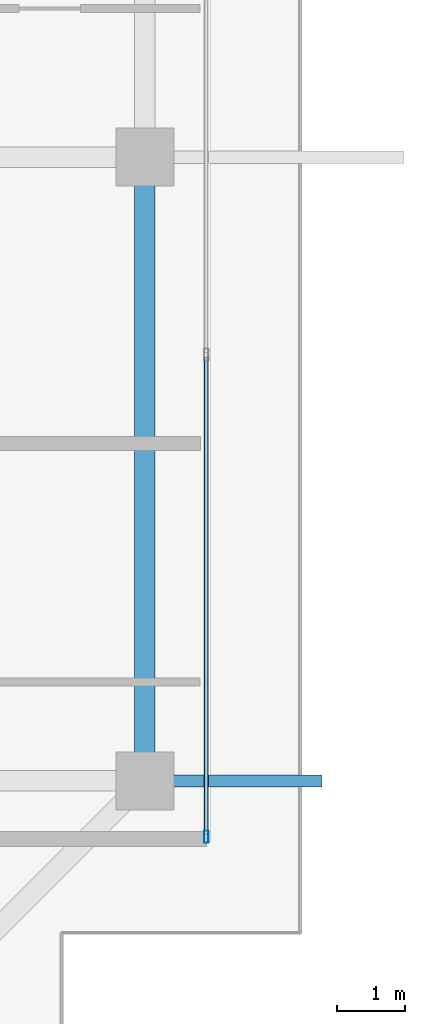
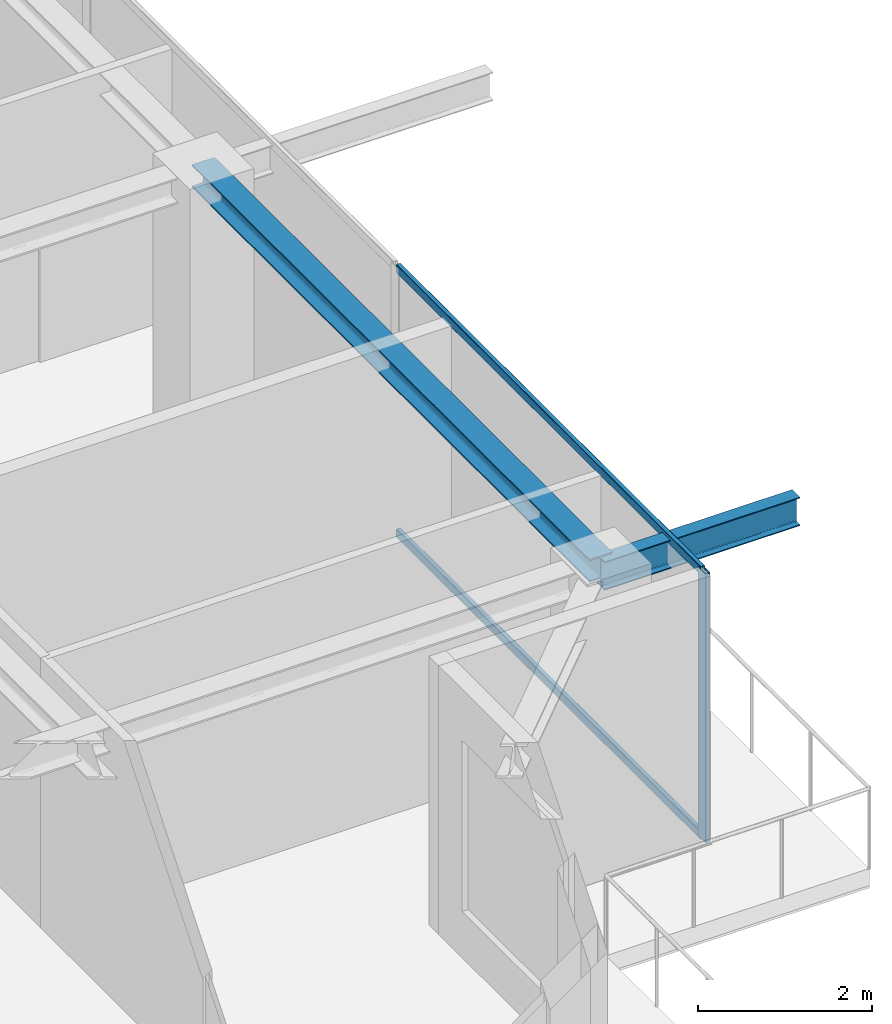
# One storey, part 12 of 36: 3 members, 2 beams, 1 element without a shape of its own.
"""IFC4 building model written with IfcOpenShell, lengths in metres."""

from ifc_helpers import new_model, si_unit, direction, frame, origin, origin_2d, place, context, subcontext, project, spatial, hollow_rectangle, i_section, extrude, source, transform, mapped, material, layer, layer_set, material_profile, profile_set, type_object, element, aggregate, save


model = new_model("IFC4")

# Units and contexts
model_context = context("Model", 3, precision=1e-05, world=origin(), true_north=direction((0.0, 1.0)))
body_context = subcontext(model_context, "Body", "Model", "MODEL_VIEW")
ifc_project = project(units=[si_unit("LENGTHUNIT", "METRE"), si_unit("AREAUNIT", "SQUARE_METRE"), si_unit("VOLUMEUNIT", "CUBIC_METRE"), si_unit("PLANEANGLEUNIT", "RADIAN"), si_unit("MASSUNIT", "GRAM", prefix="KILO")], contexts=[model_context])

# Site, building, storey
site_placement = place(None, origin())
site = spatial("IfcSite", under=ifc_project, at=site_placement, CompositionType="ELEMENT")
building_placement = place(site_placement, origin())
building = spatial("IfcBuilding", under=site, at=building_placement, Name="Serunith Strait Residences", CompositionType="ELEMENT")
storey_placement = place(building_placement, frame((0.0, 0.0, 338.0)))
storey = spatial("IfcBuildingStorey", under=building, at=storey_placement, Name="L84", CompositionType="ELEMENT", Elevation=338.0)

# Beams
ifc_material_1 = material(Name="Steel S355J2", Category="steel")
ifc_material_profile_1 = material_profile(ifc_material_1, i_section(OverallWidth=0.300048828125, OverallDepth=0.320068359375, WebThickness=0.011474609375, FlangeThickness=0.0205078125, FilletRadius=0.027099609375, at=origin_2d()), Name="HEB 320")
ifc_profile_set_1 = profile_set([ifc_material_profile_1], Name="Steel S355J2")
beam_type_1 = type_object("IfcBeamType", Name="BM-HEB320", PredefinedType="BEAM", material=ifc_profile_set_1)
shared_shape_1 = source(origin(), body_context, "Body", "SweptSolid", [
    extrude(i_section(OverallWidth=0.300048828125, OverallDepth=0.320068359375, WebThickness=0.011474609375, FlangeThickness=0.0205078125, FilletRadius=0.027099609375, at=origin_2d()), origin(), (0.0, 0.0, 1.0), 9.14990234375),
])
beam_1_placement = place(storey_placement, frame((53.10009765625, 11.85009765625, 3.626953125), z_axis=(0.0, 1.0, 0.0), x_axis=(-1.0, 0.0, 0.0)))
element("IfcBeam", 1, at=beam_1_placement, inside=storey, type_object=beam_type_1, Name="L84 Perimeter Ring Beam 05", PredefinedType="BEAM", context=body_context, shape_type="MappedRepresentation", body=[
    mapped(shared_shape_1, transform((0.0, 0.0, 0.0), scale=1.0)),
])
ifc_material_profile_2 = material_profile(ifc_material_1, i_section(OverallWidth=0.179931640625, OverallDepth=0.39990234375, WebThickness=0.008544921875, FlangeThickness=0.013427734375, FilletRadius=0.02099609375, at=origin_2d()), Name="IPE 400")
ifc_profile_set_2 = profile_set([ifc_material_profile_2], Name="Steel S355J2")
beam_type_2 = type_object("IfcBeamType", Name="BM-IPE400", PredefinedType="JOIST", material=ifc_profile_set_2)
shared_shape_2 = source(origin(), body_context, "Body", "SweptSolid", [
    extrude(i_section(OverallWidth=0.179931640625, OverallDepth=0.39990234375, WebThickness=0.008544921875, FlangeThickness=0.013427734375, FilletRadius=0.02099609375, at=origin_2d()), origin(), (0.0, 0.0, 1.0), 2.593994140625),
])
beam_2_placement = place(storey_placement, frame((53.10009765625, 11.85009765625, 3.556884765625), z_axis=(1.0, 0.0, 0.0), x_axis=(0.0, 1.0, 0.0)))
element("IfcBeam", 2, at=beam_2_placement, inside=storey, type_object=beam_type_2, Name="L85 Cantilevered Balcony Rib TC-E1", PredefinedType="JOIST", context=body_context, shape_type="MappedRepresentation", body=[
    mapped(shared_shape_2, transform((0.0, 0.0, 0.0), scale=1.0)),
])

# Curtain wall, members
ifc_material_2 = material(Name="Brushed Stainless-Silver Aluminium", Category="aluminium")
ifc_layer = layer(ifc_material_2, 0.199951171875, Name="Brushed Stainless-Silver Aluminium")
ifc_layer_set = layer_set([ifc_layer], Name="Brushed Stainless-Silver Aluminium")
curtain_wall_type = type_object("IfcCurtainWallType", Name="CW-SYS5", PredefinedType="NOTDEFINED", material=ifc_layer_set)
curtain_wall_placement = place(storey_placement, origin())
curtain_wall = element("IfcCurtainWall", 3, at=curtain_wall_placement, inside=storey, type_object=curtain_wall_type, Name="L84 E Unitised Fritted Curtain Wall", PredefinedType="NOTDEFINED")
ifc_material_profile_3 = material_profile(ifc_material_2, hollow_rectangle(XDim=0.06494140625, YDim=0.179931640625, WallThickness=0.00341796875, InnerFilletRadius=0.00537109375, OuterFilletRadius=0.0087890625, at=origin_2d()), Name="ALU 180x65x3.5")
ifc_profile_set_3 = profile_set([ifc_material_profile_3], Name="Brushed Stainless-Silver Aluminium")
member_type_1 = type_object("IfcMemberType", Name="CW-SYS5-MULL", PredefinedType="MULLION", material=ifc_profile_set_3)
shared_shape_3 = source(origin(), body_context, "Body", "SweptSolid", [
    extrude(hollow_rectangle(XDim=0.06494140625, YDim=0.179931640625, WallThickness=0.00341796875, InnerFilletRadius=0.00537109375, OuterFilletRadius=0.0087890625, at=origin_2d()), origin(), (0.0, 0.0, 1.0), 3.77490234375),
])
member_1_placement = place(storey_placement, frame((54.0, 11.032470703125, 0.0), z_axis=(0.0, 0.0, 1.0), x_axis=(-1.0, 0.0, 0.0)))
member_1 = element("IfcMember", 4, at=member_1_placement, type_object=member_type_1, Name="CW-5 mullion 1", PredefinedType="MULLION", context=body_context, shape_type="MappedRepresentation", body=[
    mapped(shared_shape_3, transform((0.0, 0.0, 0.0), scale=1.0)),
])
ifc_material_profile_4 = material_profile(ifc_material_2, hollow_rectangle(XDim=0.06005859375, YDim=0.1201171875, WallThickness=0.00341796875, InnerFilletRadius=0.00537109375, OuterFilletRadius=0.0087890625, at=origin_2d()), Name="ALU 120x60x3.5")
ifc_profile_set_4 = profile_set([ifc_material_profile_4], Name="Brushed Stainless-Silver Aluminium")
member_type_2 = type_object("IfcMemberType", Name="CW-SYS5-TRAN", PredefinedType="USERDEFINED", material=ifc_profile_set_4)
shared_shape_4 = source(origin(), body_context, "Body", "SweptSolid", [
    extrude(hollow_rectangle(XDim=0.06005859375, YDim=0.1201171875, WallThickness=0.00341796875, InnerFilletRadius=0.00537109375, OuterFilletRadius=0.0087890625, at=origin_2d()), origin(), (0.0, 0.0, 1.0), 7.00244140625),
])
member_2_placement = place(storey_placement, frame((54.0, 11.06494140625, 0.030029296875), z_axis=(0.0, 1.0, 0.0), x_axis=(-1.0, 0.0, 0.0)))
member_2 = element("IfcMember", 5, at=member_2_placement, type_object=member_type_2, Name="CW-5 transom 1.1", ObjectType="TRANSOM", PredefinedType="USERDEFINED", context=body_context, shape_type="MappedRepresentation", body=[
    mapped(shared_shape_4, transform((0.0, 0.0, 0.0), scale=1.0)),
])
member_3_placement = place(storey_placement, frame((54.0, 11.06494140625, 3.7451171875), z_axis=(0.0, 1.0, 0.0), x_axis=(-1.0, 0.0, 0.0)))
member_3 = element("IfcMember", 6, at=member_3_placement, type_object=member_type_2, Name="CW-5 transom 1.2", ObjectType="TRANSOM", PredefinedType="USERDEFINED", context=body_context, shape_type="MappedRepresentation", body=[
    mapped(shared_shape_4, transform((0.0, 0.0, 0.0), scale=1.0)),
])
aggregate(curtain_wall, [member_1, member_2, member_3])

save(model, "model.ifc")
